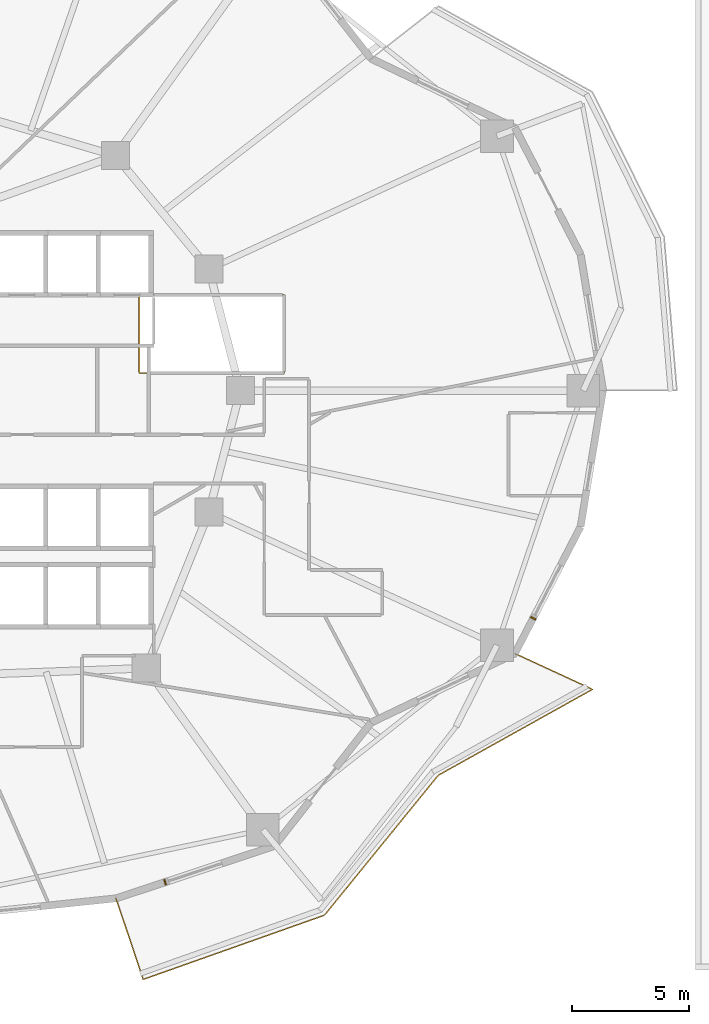
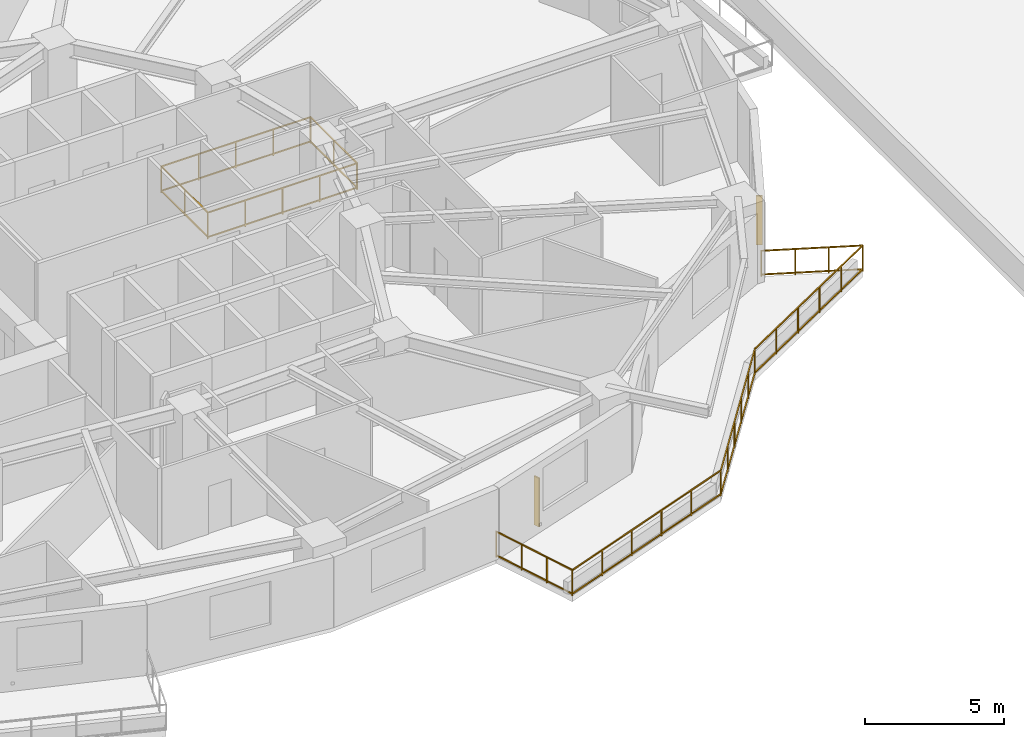
# One storey, part 10 of 13: 2 railings, 2 shading devices.
"""IFC4 building model written with IfcOpenShell, lengths in metres."""

from ifc_helpers import new_model, si_unit, direction, frame, origin, origin_2d, place, context, subcontext, project, spatial, rectangle, extrude, material, type_object, element, save


model = new_model("IFC4")

# Units and contexts
model_context = context("Model", 3, precision=1e-05, world=origin(), true_north=direction((0.0, 1.0)))
body_context = subcontext(model_context, "Body", "Model", "MODEL_VIEW")
ifc_project = project(units=[si_unit("LENGTHUNIT", "METRE"), si_unit("AREAUNIT", "SQUARE_METRE"), si_unit("VOLUMEUNIT", "CUBIC_METRE"), si_unit("PLANEANGLEUNIT", "RADIAN"), si_unit("MASSUNIT", "GRAM", prefix="KILO")], contexts=[model_context])

# Site, building, storey
site_placement = place(None, origin())
site = spatial("IfcSite", under=ifc_project, at=site_placement, CompositionType="ELEMENT")
building_placement = place(site_placement, origin())
building = spatial("IfcBuilding", under=site, at=building_placement, Name="Kolvaren Gate Tower and Convention Centre", CompositionType="ELEMENT")
storey_placement = place(building_placement, frame((0.0, 0.0, 26.5)))
storey = spatial("IfcBuildingStorey", under=building, at=storey_placement, Name="L05", CompositionType="ELEMENT", Elevation=26.5)

# Railings
ifc_material_1 = material(Name="Laminated Tempered Safety Glass Balustrade 21.5 mm", Category="glass")
railing_type_1 = type_object("IfcRailingType", Name="ARCH-RL-BALUST-1180", PredefinedType="BALUSTRADE", material=ifc_material_1)
railing_1_placement = place(storey_placement, frame((38.39990234375, 27.75, 0.0)))
element("IfcRailing", 1, at=railing_1_placement, inside=storey, type_object=railing_type_1, Name="Tower L05 Atrium Void Safety Balustrade", PredefinedType="BALUSTRADE", context=body_context, shape_type="SweptSolid", body=[
    extrude(rectangle(XDim=0.048095703125, YDim=0.048095703125, at=origin_2d()), frame((0.028076171875, 0.0, 1.15576171875), z_axis=(1.0, 0.0, 0.0), x_axis=(0.0, 1.0, 0.0)), (0.0, 0.0, 1.0), 6.14404296875),
    extrude(rectangle(XDim=0.048095703125, YDim=0.048095703125, at=origin_2d()), frame((0.028076171875, 0.0, 0.083984375), z_axis=(1.0, 0.0, 0.0), x_axis=(0.0, 1.0, 0.0)), (0.0, 0.0, 1.0), 6.14404296875),
    extrude(rectangle(XDim=0.048095703125, YDim=0.048095703125, at=origin_2d()), frame((6.2001953125, 0.028076171875, 1.15576171875), z_axis=(0.0, 1.0, 0.0), x_axis=(-1.0, 0.0, 0.0)), (0.0, 0.0, 1.0), 3.2939453125),
    extrude(rectangle(XDim=0.048095703125, YDim=0.048095703125, at=origin_2d()), frame((6.2001953125, 0.028076171875, 0.083984375), z_axis=(0.0, 1.0, 0.0), x_axis=(-1.0, 0.0, 0.0)), (0.0, 0.0, 1.0), 3.2939453125),
    extrude(rectangle(XDim=0.048095703125, YDim=0.048095703125, at=origin_2d()), frame((6.172119140625, 3.35009765625, 1.15576171875), z_axis=(-1.0, 0.0, 0.0), x_axis=(0.0, -1.0, 0.0)), (0.0, 0.0, 1.0), 6.14404296875),
    extrude(rectangle(XDim=0.048095703125, YDim=0.048095703125, at=origin_2d()), frame((6.172119140625, 3.35009765625, 0.083984375), z_axis=(-1.0, 0.0, 0.0), x_axis=(0.0, -1.0, 0.0)), (0.0, 0.0, 1.0), 6.14404296875),
    extrude(rectangle(XDim=0.048095703125, YDim=0.048095703125, at=origin_2d()), frame((0.0, 3.322021484375, 1.15576171875), z_axis=(0.0, -1.0, 0.0), x_axis=(1.0, 0.0, 0.0)), (0.0, 0.0, 1.0), 3.2939453125),
    extrude(rectangle(XDim=0.048095703125, YDim=0.048095703125, at=origin_2d()), frame((0.0, 3.322021484375, 0.083984375), z_axis=(0.0, -1.0, 0.0), x_axis=(1.0, 0.0, 0.0)), (0.0, 0.0, 1.0), 3.2939453125),
    extrude(rectangle(XDim=0.0419921875, YDim=0.0419921875, at=origin_2d()), origin(), (0.0, 0.0, 1.0), 1.179931640625),
    extrude(rectangle(XDim=0.0419921875, YDim=0.0419921875, at=origin_2d()), frame((6.2001953125, 0.0, 0.0)), (0.0, 0.0, 1.0), 1.179931640625),
    extrude(rectangle(XDim=0.0419921875, YDim=0.0419921875, at=origin_2d()), frame((1.550048828125, 0.0, 0.0)), (0.0, 0.0, 1.0), 1.1298828125),
    extrude(rectangle(XDim=0.0419921875, YDim=0.0419921875, at=origin_2d()), frame((3.10009765625, 0.0, 0.0)), (0.0, 0.0, 1.0), 1.1298828125),
    extrude(rectangle(XDim=0.0419921875, YDim=0.0419921875, at=origin_2d()), frame((4.650146484375, 0.0, 0.0)), (0.0, 0.0, 1.0), 1.1298828125),
    extrude(rectangle(XDim=0.0419921875, YDim=0.0419921875, at=origin_2d()), frame((6.2001953125, 3.35009765625, 0.0)), (0.0, 0.0, 1.0), 1.179931640625),
    extrude(rectangle(XDim=0.0419921875, YDim=0.0419921875, at=origin_2d()), frame((6.2001953125, 1.675048828125, 0.0)), (0.0, 0.0, 1.0), 1.1298828125),
    extrude(rectangle(XDim=0.0419921875, YDim=0.0419921875, at=origin_2d()), frame((0.0, 3.35009765625, 0.0)), (0.0, 0.0, 1.0), 1.179931640625),
    extrude(rectangle(XDim=0.0419921875, YDim=0.0419921875, at=origin_2d()), frame((4.650146484375, 3.35009765625, 0.0)), (0.0, 0.0, 1.0), 1.1298828125),
    extrude(rectangle(XDim=0.0419921875, YDim=0.0419921875, at=origin_2d()), frame((3.10009765625, 3.35009765625, 0.0)), (0.0, 0.0, 1.0), 1.1298828125),
    extrude(rectangle(XDim=0.0419921875, YDim=0.0419921875, at=origin_2d()), frame((1.550048828125, 3.35009765625, 0.0)), (0.0, 0.0, 1.0), 1.1298828125),
    extrude(rectangle(XDim=0.0419921875, YDim=0.0419921875, at=origin_2d()), frame((0.0, 1.675048828125, 0.0)), (0.0, 0.0, 1.0), 1.1298828125),
])
ifc_material_2 = material(Name="Brushed Stainless Steel Grade 316L", Category="steel")
railing_type_2 = type_object("IfcRailingType", Name="ARCH-RL-GUARD-1150", PredefinedType="GUARDRAIL", material=ifc_material_2)
railing_2_placement = place(storey_placement, frame((37.404296875, 5.2666015625, 0.0)))
element("IfcRailing", 2, at=railing_2_placement, inside=storey, type_object=railing_type_2, Name="Tower L05 Terrace Perimeter Guardrail GR-4", PredefinedType="GUARDRAIL", context=body_context, shape_type="SweptSolid", body=[
    extrude(rectangle(XDim=0.048095703125, YDim=0.048095703125, at=origin_2d()), frame((0.0087890625, -0.026611328125, 1.1259765625), z_axis=(0.317588247294, -0.948228719867, 0.0), x_axis=(0.948228719867, 0.317588247294, 0.0)), (0.0, 0.0, 1.0), 3.603759765625),
    extrude(rectangle(XDim=0.048095703125, YDim=0.048095703125, at=origin_2d()), frame((0.0087890625, -0.026611328125, 0.083984375), z_axis=(0.317588247294, -0.948228719867, 0.0), x_axis=(0.948228719867, 0.317588247294, 0.0)), (0.0, 0.0, 1.0), 3.603759765625),
    extrude(rectangle(XDim=0.048095703125, YDim=0.048095703125, at=origin_2d()), frame((1.188720703125, -3.461181640625, 1.1259765625), z_axis=(0.942581348797, 0.333976647237, 0.0), x_axis=(-0.333976647237, 0.942581348797, 0.0)), (0.0, 0.0, 1.0), 8.179443359375),
    extrude(rectangle(XDim=0.048095703125, YDim=0.048095703125, at=origin_2d()), frame((1.188720703125, -3.461181640625, 0.083984375), z_axis=(0.942581348797, 0.333976647237, 0.0), x_axis=(-0.333976647237, 0.942581348797, 0.0)), (0.0, 0.0, 1.0), 8.179443359375),
    extrude(rectangle(XDim=0.048095703125, YDim=0.048095703125, at=origin_2d()), frame((8.942626953125, -0.6982421875, 1.1259765625), z_axis=(0.631012936188, 0.775772308324, 0.0), x_axis=(-0.775772308324, 0.631012936188, 0.0)), (0.0, 0.0, 1.0), 7.661376953125),
    extrude(rectangle(XDim=0.048095703125, YDim=0.048095703125, at=origin_2d()), frame((8.942626953125, -0.6982421875, 0.083984375), z_axis=(0.631012936188, 0.775772308324, 0.0), x_axis=(-0.775772308324, 0.631012936188, 0.0)), (0.0, 0.0, 1.0), 7.661376953125),
    extrude(rectangle(XDim=0.048095703125, YDim=0.048095703125, at=origin_2d()), frame((13.8193359375, 5.28076171875, 1.1259765625), z_axis=(0.873486390754, 0.486848564923, 0.0), x_axis=(-0.486848564923, 0.873486390754, 0.0)), (0.0, 0.0, 1.0), 7.506103515625),
    extrude(rectangle(XDim=0.048095703125, YDim=0.048095703125, at=origin_2d()), frame((13.8193359375, 5.28076171875, 0.083984375), z_axis=(0.873486390754, 0.486848564923, 0.0), x_axis=(-0.486848564923, 0.873486390754, 0.0)), (0.0, 0.0, 1.0), 7.506103515625),
    extrude(rectangle(XDim=0.048095703125, YDim=0.048095703125, at=origin_2d()), frame((20.375, 8.96044921875, 1.1259765625), z_axis=(-0.907846116663, 0.419303503993, 0.0), x_axis=(-0.419303503993, -0.907846116663, 0.0)), (0.0, 0.0, 1.0), 3.60400390625),
    extrude(rectangle(XDim=0.048095703125, YDim=0.048095703125, at=origin_2d()), frame((20.375, 8.96044921875, 0.083984375), z_axis=(-0.907846116663, 0.419303503993, 0.0), x_axis=(-0.419303503993, -0.907846116663, 0.0)), (0.0, 0.0, 1.0), 3.60400390625),
    extrude(rectangle(XDim=0.0419921875, YDim=0.0419921875, at=origin_2d()), origin(), (0.0, 0.0, 1.0), 1.14990234375),
    extrude(rectangle(XDim=0.0419921875, YDim=0.0419921875, at=origin_2d()), frame((1.162353515625, -3.470458984375, 0.0)), (0.0, 0.0, 1.0), 1.14990234375),
    extrude(rectangle(XDim=0.0419921875, YDim=0.0419921875, at=origin_2d()), frame((0.387451171875, -1.15673828125, 0.0)), (0.0, 0.0, 1.0), 1.099853515625),
    extrude(rectangle(XDim=0.0419921875, YDim=0.0419921875, at=origin_2d()), frame((0.77490234375, -2.313720703125, 0.0)), (0.0, 0.0, 1.0), 1.099853515625),
    extrude(rectangle(XDim=0.0419921875, YDim=0.0419921875, at=origin_2d()), frame((8.925048828125, -0.719970703125, 0.0)), (0.0, 0.0, 1.0), 1.14990234375),
    extrude(rectangle(XDim=0.0419921875, YDim=0.0419921875, at=origin_2d()), frame((2.71484375, -2.92041015625, 0.0)), (0.0, 0.0, 1.0), 1.099853515625),
    extrude(rectangle(XDim=0.0419921875, YDim=0.0419921875, at=origin_2d()), frame((4.267333984375, -2.370361328125, 0.0)), (0.0, 0.0, 1.0), 1.099853515625),
    extrude(rectangle(XDim=0.0419921875, YDim=0.0419921875, at=origin_2d()), frame((5.820068359375, -1.820068359375, 0.0)), (0.0, 0.0, 1.0), 1.099853515625),
    extrude(rectangle(XDim=0.0419921875, YDim=0.0419921875, at=origin_2d()), frame((7.37255859375, -1.27001953125, 0.0)), (0.0, 0.0, 1.0), 1.099853515625),
    extrude(rectangle(XDim=0.0419921875, YDim=0.0419921875, at=origin_2d()), frame((13.794921875, 5.26708984375, 0.0)), (0.0, 0.0, 1.0), 1.14990234375),
    extrude(rectangle(XDim=0.0419921875, YDim=0.0419921875, at=origin_2d()), frame((9.89892578125, 0.4775390625, 0.0)), (0.0, 0.0, 1.0), 1.099853515625),
    extrude(rectangle(XDim=0.0419921875, YDim=0.0419921875, at=origin_2d()), frame((10.873046875, 1.6748046875, 0.0)), (0.0, 0.0, 1.0), 1.099853515625),
    extrude(rectangle(XDim=0.0419921875, YDim=0.0419921875, at=origin_2d()), frame((11.846923828125, 2.872314453125, 0.0)), (0.0, 0.0, 1.0), 1.099853515625),
    extrude(rectangle(XDim=0.0419921875, YDim=0.0419921875, at=origin_2d()), frame((12.821044921875, 4.069580078125, 0.0)), (0.0, 0.0, 1.0), 1.099853515625),
    extrude(rectangle(XDim=0.0419921875, YDim=0.0419921875, at=origin_2d()), frame((20.400390625, 8.94873046875, 0.0)), (0.0, 0.0, 1.0), 1.14990234375),
    extrude(rectangle(XDim=0.0419921875, YDim=0.0419921875, at=origin_2d()), frame((15.115966796875, 6.00341796875, 0.0)), (0.0, 0.0, 1.0), 1.099853515625),
    extrude(rectangle(XDim=0.0419921875, YDim=0.0419921875, at=origin_2d()), frame((16.43701171875, 6.73974609375, 0.0)), (0.0, 0.0, 1.0), 1.099853515625),
    extrude(rectangle(XDim=0.0419921875, YDim=0.0419921875, at=origin_2d()), frame((17.75830078125, 7.47607421875, 0.0)), (0.0, 0.0, 1.0), 1.099853515625),
    extrude(rectangle(XDim=0.0419921875, YDim=0.0419921875, at=origin_2d()), frame((19.079345703125, 8.21240234375, 0.0)), (0.0, 0.0, 1.0), 1.099853515625),
    extrude(rectangle(XDim=0.0419921875, YDim=0.0419921875, at=origin_2d()), frame((17.07763671875, 10.4833984375, 0.0)), (0.0, 0.0, 1.0), 1.14990234375),
    extrude(rectangle(XDim=0.0419921875, YDim=0.0419921875, at=origin_2d()), frame((19.292724609375, 9.460205078125, 0.0)), (0.0, 0.0, 1.0), 1.099853515625),
    extrude(rectangle(XDim=0.0419921875, YDim=0.0419921875, at=origin_2d()), frame((18.185302734375, 9.971923828125, 0.0)), (0.0, 0.0, 1.0), 1.099853515625),
])

# Shading devices
ifc_material_3 = material(Name="Kiln-Fired Bogota Terracotta Ceramic Louvre Profile", Category="masonry")
shading_device_type = type_object("IfcShadingDeviceType", Name="ARCH-SHD-FIN-180", PredefinedType="JALOUSIE", material=ifc_material_3)
for number, where, z_axis, x_axis, name in (
    (3, (39.5048828125, 5.962890625, 0.219970703125), (0.0, 0.0, 1.0), (0.949242826568, 0.314544203905, 0.0), "Ceramic Vertical Brise-Soleil Fin FN-L05-19"),
    (4, (55.26123046875, 17.255126953125, 0.219970703125), (0.0, 0.0, 1.0), (0.459789110083, 0.888028138208, 0.0), "Ceramic Vertical Brise-Soleil Fin FN-L05-22"),
):
    element("IfcShadingDevice", number, at=place(storey_placement, frame(where, z_axis=z_axis, x_axis=x_axis)), inside=storey, type_object=shading_device_type, Name=name, PredefinedType="JALOUSIE", context=body_context, shape_type="SweptSolid", body=[
        extrude(rectangle(XDim=0.06005859375, YDim=0.239990234375, at=origin_2d()), origin(), (0.0, 0.0, 1.0), 2.14990234375),
    ])

save(model, "model.ifc")
